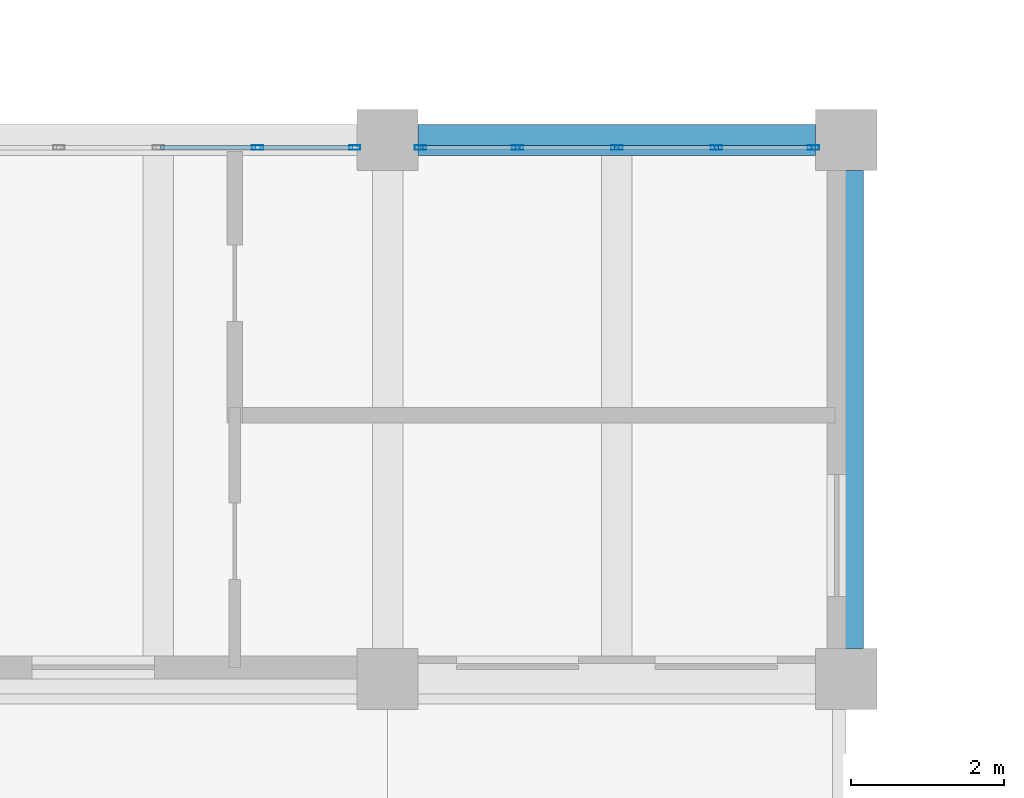
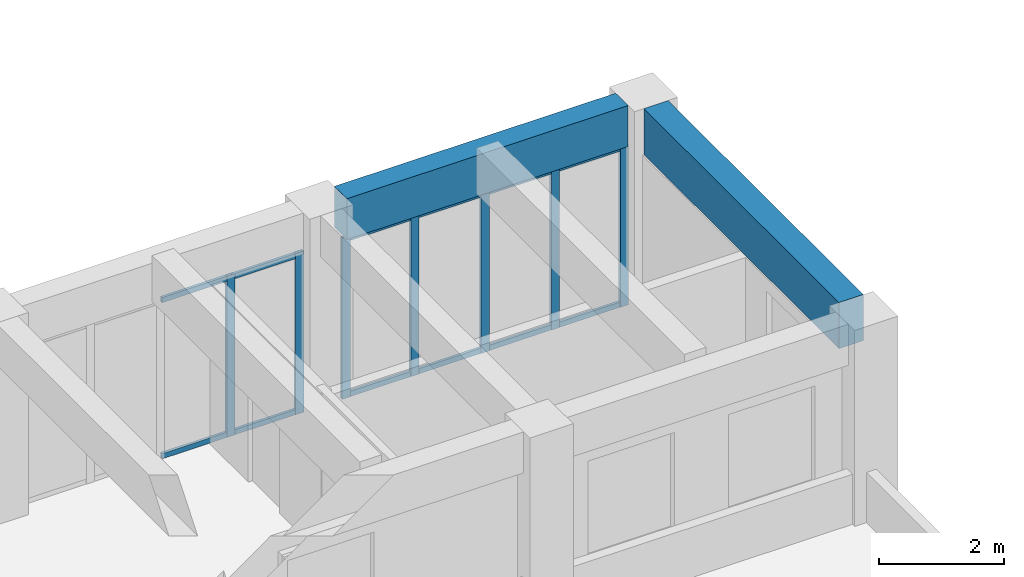
# One storey, part 34 of 92: 19 members, 2 beams, 2 elements without a shape of their own.
"""IFC4 building model written with IfcOpenShell, lengths in metres."""

from ifc_helpers import new_model, si_unit, direction, frame, origin, origin_2d, place, context, subcontext, project, spatial, rectangle, hollow_rectangle, extrude, material, material_profile, profile_set, type_object, element, aggregate, save


model = new_model("IFC4")

# Units and contexts
model_context = context("Model", 3, precision=1e-05, world=origin(), true_north=direction((0.0, 1.0)))
body_context = subcontext(model_context, "Body", "Model", "MODEL_VIEW")
ifc_project = project(units=[si_unit("LENGTHUNIT", "METRE"), si_unit("AREAUNIT", "SQUARE_METRE"), si_unit("VOLUMEUNIT", "CUBIC_METRE"), si_unit("PLANEANGLEUNIT", "RADIAN"), si_unit("MASSUNIT", "GRAM", prefix="KILO")], contexts=[model_context])

# Site, building, storey
site_placement = place(None, origin())
site = spatial("IfcSite", under=ifc_project, at=site_placement, CompositionType="ELEMENT")
building_placement = place(site_placement, origin())
building = spatial("IfcBuilding", under=site, at=building_placement, Name="Laocheng Heights Fire and Rescue Headquarters", CompositionType="ELEMENT")
storey_placement = place(building_placement, frame((0.0, 0.0, 12.60009765625)))
storey = spatial("IfcBuildingStorey", under=building, at=storey_placement, Name="L03", CompositionType="ELEMENT", Elevation=12.60009765625)

# Curtain wall, members
ifc_material_1 = material(Name="Aluminium unitised curtain wall, low-e double glazing", Category="aluminium")
curtain_wall_type = type_object("IfcCurtainWallType", Name="CW 5200 x 3150 GALLERY UNIT", PredefinedType="NOTDEFINED", material=ifc_material_1)
curtain_wall_1_placement = place(storey_placement, origin())
curtain_wall_1 = element("IfcCurtainWall", 1, at=curtain_wall_1_placement, inside=storey, type_object=curtain_wall_type, Name="Gallery north glazing L03", PredefinedType="NOTDEFINED")
ifc_material_2 = material(Name="Aluminium 6063-T5 extrusion", Category="aluminium")
ifc_material_profile_1 = material_profile(ifc_material_2, hollow_rectangle(XDim=0.06005859375, YDim=0.14990234375, WallThickness=0.0029296875, at=origin_2d()), Name="AL MULLION 150x60x3")
ifc_profile_set_1 = profile_set([ifc_material_profile_1], Name="Aluminium 6063-T5 extrusion")
member_type_1 = type_object("IfcMemberType", Name="AL CURTAIN WALL MULLION 150x60x3", PredefinedType="MULLION", material=ifc_profile_set_1)
member_1_placement = place(storey_placement, frame((64.300048828125, 28.699951171875, 0.0), z_axis=(0.0, 0.0, 1.0), x_axis=(0.0, 1.0, 0.0)))
member_1 = element("IfcMember", 2, at=member_1_placement, type_object=member_type_1, Name="X6-E mullion 4", PredefinedType="MULLION", context=body_context, shape_type="SweptSolid", body=[
    extrude(hollow_rectangle(XDim=0.06005859375, YDim=0.14990234375, WallThickness=0.0029296875, at=origin_2d()), origin(), (0.0, 0.0, 1.0), 3.14990234375),
])
member_2_placement = place(storey_placement, frame((65.570068359375, 28.699951171875, 0.0), z_axis=(0.0, 0.0, 1.0), x_axis=(0.0, 1.0, 0.0)))
member_2 = element("IfcMember", 3, at=member_2_placement, type_object=member_type_1, Name="X6-E mullion 5", PredefinedType="MULLION", context=body_context, shape_type="SweptSolid", body=[
    extrude(hollow_rectangle(XDim=0.06005859375, YDim=0.14990234375, WallThickness=0.0029296875, at=origin_2d()), origin(), (0.0, 0.0, 1.0), 3.14990234375),
])

curtain_wall_2_placement = place(storey_placement, origin())
curtain_wall_2 = element("IfcCurtainWall", 4, at=curtain_wall_2_placement, inside=storey, type_object=curtain_wall_type, Name="Gallery north glazing L03", PredefinedType="NOTDEFINED")
member_3_placement = place(storey_placement, frame((66.429931640625, 28.699951171875, 0.0), z_axis=(0.0, 0.0, 1.0), x_axis=(0.0, 1.0, 0.0)))
member_3 = element("IfcMember", 5, at=member_3_placement, type_object=member_type_1, Name="X6-E mullion 1", PredefinedType="MULLION", context=body_context, shape_type="SweptSolid", body=[
    extrude(hollow_rectangle(XDim=0.06005859375, YDim=0.14990234375, WallThickness=0.0029296875, at=origin_2d()), origin(), (0.0, 0.0, 1.0), 3.14990234375),
])
member_4_placement = place(storey_placement, frame((67.699951171875, 28.699951171875, 0.0), z_axis=(0.0, 0.0, 1.0), x_axis=(0.0, 1.0, 0.0)))
member_4 = element("IfcMember", 6, at=member_4_placement, type_object=member_type_1, Name="X6-E mullion 2", PredefinedType="MULLION", context=body_context, shape_type="SweptSolid", body=[
    extrude(hollow_rectangle(XDim=0.06005859375, YDim=0.14990234375, WallThickness=0.0029296875, at=origin_2d()), origin(), (0.0, 0.0, 1.0), 3.14990234375),
])
member_5_placement = place(storey_placement, frame((69.0, 28.699951171875, 0.0), z_axis=(0.0, 0.0, 1.0), x_axis=(0.0, 1.0, 0.0)))
member_5 = element("IfcMember", 7, at=member_5_placement, type_object=member_type_1, Name="X6-E mullion 3", PredefinedType="MULLION", context=body_context, shape_type="SweptSolid", body=[
    extrude(hollow_rectangle(XDim=0.06005859375, YDim=0.14990234375, WallThickness=0.0029296875, at=origin_2d()), origin(), (0.0, 0.0, 1.0), 3.14990234375),
])
member_6_placement = place(storey_placement, frame((70.300048828125, 28.699951171875, 0.0), z_axis=(0.0, 0.0, 1.0), x_axis=(0.0, 1.0, 0.0)))
member_6 = element("IfcMember", 8, at=member_6_placement, type_object=member_type_1, Name="X6-E mullion 4", PredefinedType="MULLION", context=body_context, shape_type="SweptSolid", body=[
    extrude(hollow_rectangle(XDim=0.06005859375, YDim=0.14990234375, WallThickness=0.0029296875, at=origin_2d()), origin(), (0.0, 0.0, 1.0), 3.14990234375),
])
member_7_placement = place(storey_placement, frame((71.570068359375, 28.699951171875, 0.0), z_axis=(0.0, 0.0, 1.0), x_axis=(0.0, 1.0, 0.0)))
member_7 = element("IfcMember", 9, at=member_7_placement, type_object=member_type_1, Name="X6-E mullion 5", PredefinedType="MULLION", context=body_context, shape_type="SweptSolid", body=[
    extrude(hollow_rectangle(XDim=0.06005859375, YDim=0.14990234375, WallThickness=0.0029296875, at=origin_2d()), origin(), (0.0, 0.0, 1.0), 3.14990234375),
])

# Member
ifc_material_3 = material(Name="Aluminium 6063-T5 extrusion", Category="aluminium")
ifc_material_profile_2 = material_profile(ifc_material_3, hollow_rectangle(XDim=0.050048828125, YDim=0.10009765625, WallThickness=0.0029296875, at=origin_2d()), Name="AL TRANSOM 100x50x3")
ifc_profile_set_2 = profile_set([ifc_material_profile_2], Name="Aluminium 6063-T5 extrusion")
member_type_2 = type_object("IfcMemberType", Name="AL CURTAIN WALL TRANSOM 100x50x3", PredefinedType="USERDEFINED", material=ifc_profile_set_2)
member_8_placement = place(storey_placement, frame((63.030029296875, 28.699951171875, 0.0498046875), z_axis=(1.0, 0.0, 0.0), x_axis=(0.0, 1.0, 0.0)))
member_8 = element("IfcMember", 10, at=member_8_placement, type_object=member_type_2, Name="X6-E transom 3.1", ObjectType="TRANSOM", PredefinedType="USERDEFINED", context=body_context, shape_type="SweptSolid", body=[
    extrude(hollow_rectangle(XDim=0.050048828125, YDim=0.10009765625, WallThickness=0.0029296875, at=origin_2d()), origin(), (0.0, 0.0, 1.0), 1.239990234375),
])

member_9_placement = place(storey_placement, frame((63.030029296875, 28.699951171875, 3.099853515625), z_axis=(1.0, 0.0, 0.0), x_axis=(0.0, 1.0, 0.0)))
member_9 = element("IfcMember", 11, at=member_9_placement, type_object=member_type_2, Name="X6-E transom 3.2", ObjectType="TRANSOM", PredefinedType="USERDEFINED", context=body_context, shape_type="SweptSolid", body=[
    extrude(hollow_rectangle(XDim=0.050048828125, YDim=0.10009765625, WallThickness=0.0029296875, at=origin_2d()), origin(), (0.0, 0.0, 1.0), 1.239990234375),
])

member_10_placement = place(storey_placement, frame((64.330078125, 28.699951171875, 0.0498046875), z_axis=(1.0, 0.0, 0.0), x_axis=(0.0, 1.0, 0.0)))
member_10 = element("IfcMember", 12, at=member_10_placement, type_object=member_type_2, Name="X6-E transom 4.1", ObjectType="TRANSOM", PredefinedType="USERDEFINED", context=body_context, shape_type="SweptSolid", body=[
    extrude(hollow_rectangle(XDim=0.050048828125, YDim=0.10009765625, WallThickness=0.0029296875, at=origin_2d()), origin(), (0.0, 0.0, 1.0), 1.2099609375),
])

member_11_placement = place(storey_placement, frame((64.330078125, 28.699951171875, 3.099853515625), z_axis=(1.0, 0.0, 0.0), x_axis=(0.0, 1.0, 0.0)))
member_11 = element("IfcMember", 13, at=member_11_placement, type_object=member_type_2, Name="X6-E transom 4.2", ObjectType="TRANSOM", PredefinedType="USERDEFINED", context=body_context, shape_type="SweptSolid", body=[
    extrude(hollow_rectangle(XDim=0.050048828125, YDim=0.10009765625, WallThickness=0.0029296875, at=origin_2d()), origin(), (0.0, 0.0, 1.0), 1.2099609375),
])

aggregate(curtain_wall_1, [member_1, member_2, member_8, member_9, member_10, member_11])

member_12_placement = place(storey_placement, frame((66.4599609375, 28.699951171875, 0.0498046875), z_axis=(1.0, 0.0, 0.0), x_axis=(0.0, 1.0, 0.0)))
member_12 = element("IfcMember", 14, at=member_12_placement, type_object=member_type_2, Name="X6-E transom 1.1", ObjectType="TRANSOM", PredefinedType="USERDEFINED", context=body_context, shape_type="SweptSolid", body=[
    extrude(hollow_rectangle(XDim=0.050048828125, YDim=0.10009765625, WallThickness=0.0029296875, at=origin_2d()), origin(), (0.0, 0.0, 1.0), 1.2099609375),
])

member_13_placement = place(storey_placement, frame((66.4599609375, 28.699951171875, 3.099853515625), z_axis=(1.0, 0.0, 0.0), x_axis=(0.0, 1.0, 0.0)))
member_13 = element("IfcMember", 15, at=member_13_placement, type_object=member_type_2, Name="X6-E transom 1.2", ObjectType="TRANSOM", PredefinedType="USERDEFINED", context=body_context, shape_type="SweptSolid", body=[
    extrude(hollow_rectangle(XDim=0.050048828125, YDim=0.10009765625, WallThickness=0.0029296875, at=origin_2d()), origin(), (0.0, 0.0, 1.0), 1.2099609375),
])

member_14_placement = place(storey_placement, frame((67.72998046875, 28.699951171875, 0.0498046875), z_axis=(1.0, 0.0, 0.0), x_axis=(0.0, 1.0, 0.0)))
member_14 = element("IfcMember", 16, at=member_14_placement, type_object=member_type_2, Name="X6-E transom 2.1", ObjectType="TRANSOM", PredefinedType="USERDEFINED", context=body_context, shape_type="SweptSolid", body=[
    extrude(hollow_rectangle(XDim=0.050048828125, YDim=0.10009765625, WallThickness=0.0029296875, at=origin_2d()), origin(), (0.0, 0.0, 1.0), 1.239990234375),
])

member_15_placement = place(storey_placement, frame((67.72998046875, 28.699951171875, 3.099853515625), z_axis=(1.0, 0.0, 0.0), x_axis=(0.0, 1.0, 0.0)))
member_15 = element("IfcMember", 17, at=member_15_placement, type_object=member_type_2, Name="X6-E transom 2.2", ObjectType="TRANSOM", PredefinedType="USERDEFINED", context=body_context, shape_type="SweptSolid", body=[
    extrude(hollow_rectangle(XDim=0.050048828125, YDim=0.10009765625, WallThickness=0.0029296875, at=origin_2d()), origin(), (0.0, 0.0, 1.0), 1.239990234375),
])

member_16_placement = place(storey_placement, frame((69.030029296875, 28.699951171875, 0.0498046875), z_axis=(1.0, 0.0, 0.0), x_axis=(0.0, 1.0, 0.0)))
member_16 = element("IfcMember", 18, at=member_16_placement, type_object=member_type_2, Name="X6-E transom 3.1", ObjectType="TRANSOM", PredefinedType="USERDEFINED", context=body_context, shape_type="SweptSolid", body=[
    extrude(hollow_rectangle(XDim=0.050048828125, YDim=0.10009765625, WallThickness=0.0029296875, at=origin_2d()), origin(), (0.0, 0.0, 1.0), 1.239990234375),
])

member_17_placement = place(storey_placement, frame((69.030029296875, 28.699951171875, 3.099853515625), z_axis=(1.0, 0.0, 0.0), x_axis=(0.0, 1.0, 0.0)))
member_17 = element("IfcMember", 19, at=member_17_placement, type_object=member_type_2, Name="X6-E transom 3.2", ObjectType="TRANSOM", PredefinedType="USERDEFINED", context=body_context, shape_type="SweptSolid", body=[
    extrude(hollow_rectangle(XDim=0.050048828125, YDim=0.10009765625, WallThickness=0.0029296875, at=origin_2d()), origin(), (0.0, 0.0, 1.0), 1.239990234375),
])

member_18_placement = place(storey_placement, frame((70.330078125, 28.699951171875, 0.0498046875), z_axis=(1.0, 0.0, 0.0), x_axis=(0.0, 1.0, 0.0)))
member_18 = element("IfcMember", 20, at=member_18_placement, type_object=member_type_2, Name="X6-E transom 4.1", ObjectType="TRANSOM", PredefinedType="USERDEFINED", context=body_context, shape_type="SweptSolid", body=[
    extrude(hollow_rectangle(XDim=0.050048828125, YDim=0.10009765625, WallThickness=0.0029296875, at=origin_2d()), origin(), (0.0, 0.0, 1.0), 1.2099609375),
])

member_19_placement = place(storey_placement, frame((70.330078125, 28.699951171875, 3.099853515625), z_axis=(1.0, 0.0, 0.0), x_axis=(0.0, 1.0, 0.0)))
member_19 = element("IfcMember", 21, at=member_19_placement, type_object=member_type_2, Name="X6-E transom 4.2", ObjectType="TRANSOM", PredefinedType="USERDEFINED", context=body_context, shape_type="SweptSolid", body=[
    extrude(hollow_rectangle(XDim=0.050048828125, YDim=0.10009765625, WallThickness=0.0029296875, at=origin_2d()), origin(), (0.0, 0.0, 1.0), 1.2099609375),
])

aggregate(curtain_wall_2, [member_3, member_4, member_5, member_6, member_7, member_12, member_13, member_14, member_15, member_16, member_17, member_18, member_19])

# Beams
ifc_material_4 = material(Name="Concrete C40", Category="concrete")
ifc_material_profile_3 = material_profile(ifc_material_4, rectangle(XDim=0.39990234375, YDim=0.800048828125, at=origin_2d()), Name="RC BEAM 400x800 GALLERY FLOOR")
ifc_profile_set_3 = profile_set([ifc_material_profile_3], Name="Concrete C40")
beam_type_1 = type_object("IfcBeamType", Name="RC BEAM 400x800 GALLERY FLOOR", PredefinedType="BEAM", material=ifc_profile_set_3)
beam_1_placement = place(storey_placement, frame((66.39990234375, 28.800048828125, 3.5498046875), z_axis=(1.0, 0.0, 0.0), x_axis=(0.0, 1.0, 0.0)))
element("IfcBeam", 22, at=beam_1_placement, inside=storey, type_object=beam_type_1, Name="Gallery roof beam", PredefinedType="BEAM", context=body_context, shape_type="SweptSolid", body=[
    extrude(rectangle(XDim=0.39990234375, YDim=0.800048828125, at=origin_2d()), origin(), (0.0, 0.0, 1.0), 5.2001953125),
])
ifc_material_5 = material(Name="Concrete C40", Category="concrete")
ifc_material_profile_4 = material_profile(ifc_material_5, rectangle(XDim=0.449951171875, YDim=0.89990234375, at=origin_2d()), Name="RC BEAM 450x900 GALLERY FLOOR")
ifc_profile_set_4 = profile_set([ifc_material_profile_4], Name="Concrete C40")
beam_type_2 = type_object("IfcBeamType", Name="RC BEAM 450x900 GALLERY FLOOR", PredefinedType="BEAM", material=ifc_profile_set_4)
beam_2_placement = place(storey_placement, frame((72.0, 22.14990234375, 3.5), z_axis=(0.0, 1.0, 0.0), x_axis=(-1.0, 0.0, 0.0)))
element("IfcBeam", 23, at=beam_2_placement, inside=storey, type_object=beam_type_2, Name="Gallery roof beam", PredefinedType="BEAM", context=body_context, shape_type="SweptSolid", body=[
    extrude(rectangle(XDim=0.449951171875, YDim=0.89990234375, at=origin_2d()), origin(), (0.0, 0.0, 1.0), 6.25),
])

save(model, "model.ifc")
